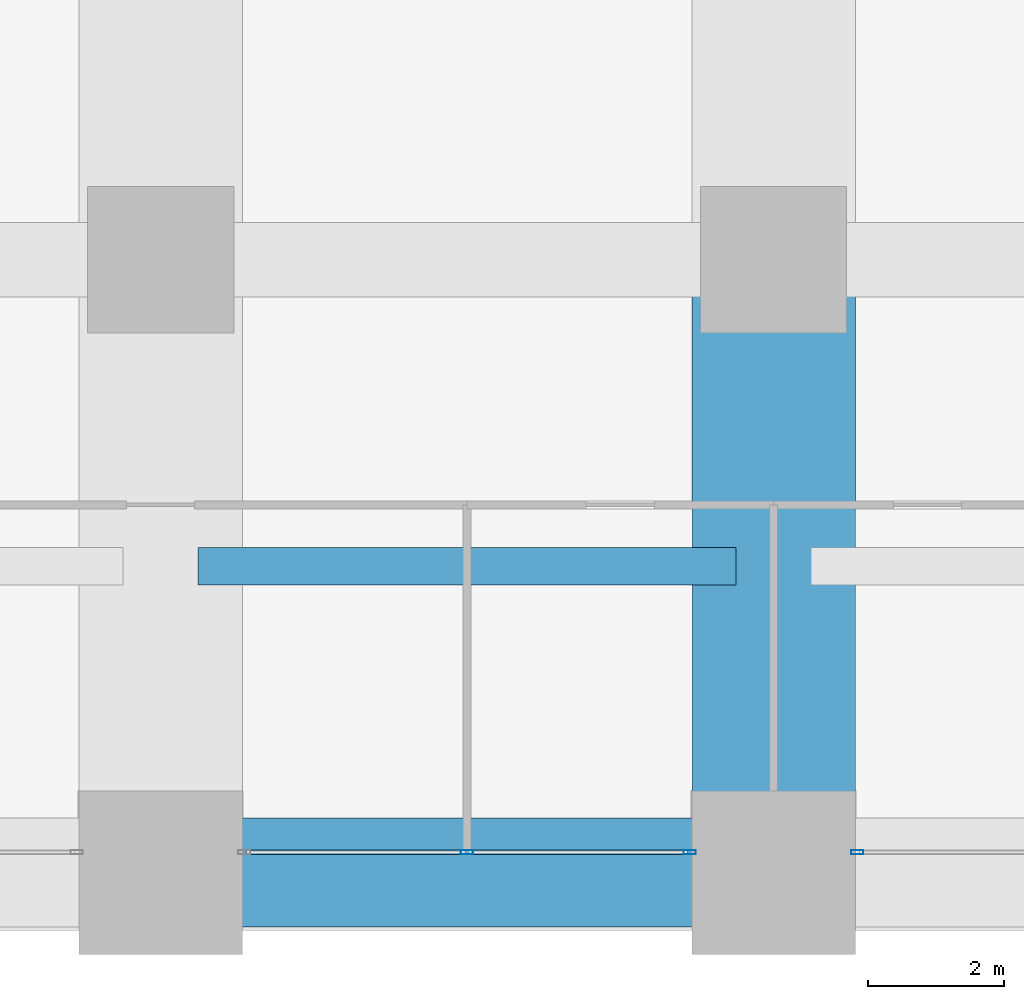
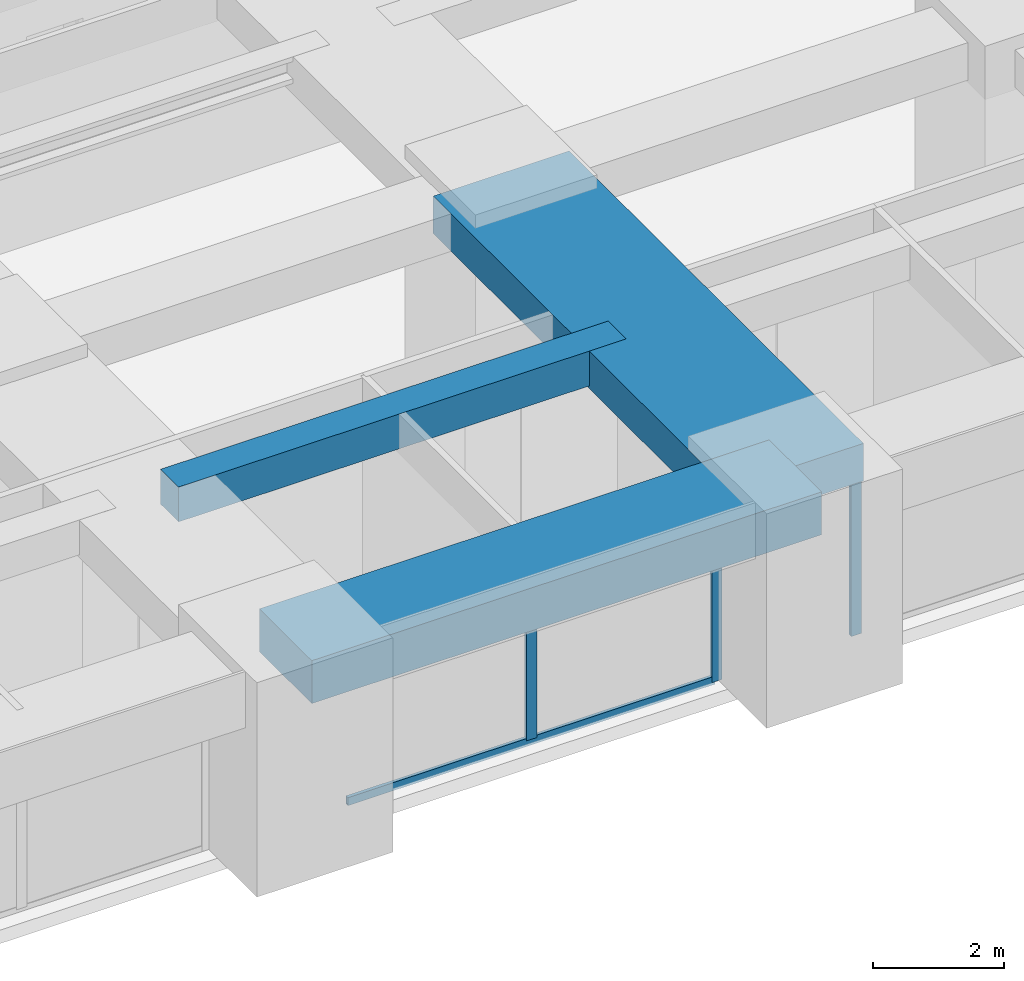
# One storey, part 13 of 45: 4 members, 3 beams, 2 elements without a shape of their own.
"""IFC4 building model written with IfcOpenShell, lengths in metres."""

from ifc_helpers import new_model, si_unit, direction, frame, origin, origin_2d, place, context, subcontext, project, spatial, rectangle, hollow_rectangle, extrude, material, material_profile, profile_set, type_object, element, aggregate, save


model = new_model("IFC4")

# Units and contexts
model_context = context("Model", 3, precision=1e-05, world=origin(), true_north=direction((0.0, 1.0)))
body_context = subcontext(model_context, "Body", "Model", "MODEL_VIEW")
ifc_project = project(units=[si_unit("LENGTHUNIT", "METRE"), si_unit("AREAUNIT", "SQUARE_METRE"), si_unit("VOLUMEUNIT", "CUBIC_METRE"), si_unit("PLANEANGLEUNIT", "RADIAN"), si_unit("MASSUNIT", "GRAM", prefix="KILO")], contexts=[model_context])

# Site, building, storey
site_placement = place(None, origin())
site = spatial("IfcSite", under=ifc_project, at=site_placement, CompositionType="ELEMENT")
building_placement = place(site_placement, origin())
building = spatial("IfcBuilding", under=site, at=building_placement, Name="Zorevar Civic Tower", CompositionType="ELEMENT")
storey_placement = place(building_placement, frame((0.0, 0.0, 71.800048828125)))
storey = spatial("IfcBuildingStorey", under=building, at=storey_placement, Name="L17", CompositionType="ELEMENT", Elevation=71.800048828125)

# Beams
ifc_material_1 = material(Name="Concrete C50/60", Category="concrete")
ifc_material_profile_1 = material_profile(ifc_material_1, rectangle(XDim=2.39990234375, YDim=0.699951171875, at=origin_2d()), Name="RC 2400x700")
ifc_profile_set_1 = profile_set([ifc_material_profile_1], Name="Concrete C50/60")
beam_type_1 = type_object("IfcBeamType", Name="Beam RC 2400x700", PredefinedType="BEAM", material=ifc_profile_set_1)
beam_1_placement = place(storey_placement, frame((45.0, 0.0, 3.39990234375), z_axis=(0.0, 1.0, 0.0), x_axis=(-1.0, 0.0, 0.0)))
element("IfcBeam", 1, at=beam_1_placement, inside=storey, type_object=beam_type_1, Name="Girder L18", PredefinedType="BEAM", context=body_context, shape_type="SweptSolid", body=[
    extrude(rectangle(XDim=2.39990234375, YDim=0.699951171875, at=origin_2d()), origin(), (0.0, 0.0, 1.0), 9.0),
])
ifc_material_2 = material(Name="Concrete C50/60", Category="concrete")
ifc_material_profile_2 = material_profile(ifc_material_2, rectangle(XDim=0.550048828125, YDim=0.64990234375, at=origin_2d()), Name="RC 550x650")
ifc_profile_set_2 = profile_set([ifc_material_profile_2], Name="Concrete C50/60")
beam_type_2 = type_object("IfcBeamType", Name="Beam RC 550x650", PredefinedType="BEAM", material=ifc_profile_set_2)
beam_2_placement = place(storey_placement, frame((36.550048828125, 4.5, 3.425048828125), z_axis=(1.0, 0.0, 0.0), x_axis=(0.0, 1.0, 0.0)))
element("IfcBeam", 2, at=beam_2_placement, inside=storey, type_object=beam_type_2, Name="Secondary beam L18", PredefinedType="BEAM", context=body_context, shape_type="SweptSolid", body=[
    extrude(rectangle(XDim=0.550048828125, YDim=0.64990234375, at=origin_2d()), origin(), (0.0, 0.0, 1.0), 7.89990234375),
])

# Curtain wall, members
ifc_material_3 = material(Name="Dark grey solar-control glass in black aluminium frame", Category="aluminium")
curtain_wall_type = type_object("IfcCurtainWallType", Name="Curtain wall CW2 low zone", PredefinedType="NOTDEFINED", material=ifc_material_3)
curtain_wall_1_placement = place(storey_placement, origin())
curtain_wall_1 = element("IfcCurtainWall", 3, at=curtain_wall_1_placement, inside=storey, type_object=curtain_wall_type, Name="CW2 L17", PredefinedType="NOTDEFINED")
ifc_material_4 = material(Name="Aluminium, black anodised", Category="aluminium")
ifc_material_profile_3 = material_profile(ifc_material_4, hollow_rectangle(XDim=0.06005859375, YDim=0.179931640625, WallThickness=0.00390625, at=origin_2d()), Name="AL 180x60x4")
ifc_profile_set_3 = profile_set([ifc_material_profile_3], Name="Aluminium, black anodised")
member_type_1 = type_object("IfcMemberType", Name="CW2 mullion AL 180x60x4", PredefinedType="MULLION", material=ifc_profile_set_3)
member_1_placement = place(storey_placement, frame((40.5, 0.300048828125, 0.06005859375), z_axis=(0.0, 0.0, 1.0), x_axis=(0.0, 1.0, 0.0)))
member_1 = element("IfcMember", 4, at=member_1_placement, type_object=member_type_1, Name="CW2 mullion 2", PredefinedType="MULLION", context=body_context, shape_type="SweptSolid", body=[
    extrude(hollow_rectangle(XDim=0.06005859375, YDim=0.179931640625, WallThickness=0.00390625, at=origin_2d()), origin(), (0.0, 0.0, 1.0), 2.889892578125),
])
member_2_placement = place(storey_placement, frame((43.77001953125, 0.300048828125, 0.0), z_axis=(0.0, 0.0, 1.0), x_axis=(0.0, 1.0, 0.0)))
member_2 = element("IfcMember", 5, at=member_2_placement, type_object=member_type_1, Name="CW2 mullion 3", PredefinedType="MULLION", context=body_context, shape_type="SweptSolid", body=[
    extrude(hollow_rectangle(XDim=0.06005859375, YDim=0.179931640625, WallThickness=0.00390625, at=origin_2d()), origin(), (0.0, 0.0, 1.0), 2.949951171875),
])

# Curtain wall, member
curtain_wall_2_placement = place(storey_placement, origin())
curtain_wall_2 = element("IfcCurtainWall", 6, at=curtain_wall_2_placement, inside=storey, type_object=curtain_wall_type, Name="CW2 L17", PredefinedType="NOTDEFINED")
member_3_placement = place(storey_placement, frame((46.22998046875, 0.300048828125, 0.0), z_axis=(0.0, 0.0, 1.0), x_axis=(0.0, 1.0, 0.0)))
member_3 = element("IfcMember", 7, at=member_3_placement, type_object=member_type_1, Name="CW2 mullion 1", PredefinedType="MULLION", context=body_context, shape_type="SweptSolid", body=[
    extrude(hollow_rectangle(XDim=0.06005859375, YDim=0.179931640625, WallThickness=0.00390625, at=origin_2d()), origin(), (0.0, 0.0, 1.0), 2.949951171875),
])
aggregate(curtain_wall_2, [member_3])

# Member
ifc_material_5 = material(Name="Aluminium, black anodised", Category="aluminium")
ifc_material_profile_4 = material_profile(ifc_material_5, hollow_rectangle(XDim=0.06005859375, YDim=0.14990234375, WallThickness=0.00390625, at=origin_2d()), Name="AL 150x60x4")
ifc_profile_set_4 = profile_set([ifc_material_profile_4], Name="Aluminium, black anodised")
member_type_2 = type_object("IfcMemberType", Name="CW2 transom AL 150x60x4", PredefinedType="USERDEFINED", material=ifc_profile_set_4)
member_4_placement = place(storey_placement, frame((37.260009765625, 0.300048828125, 0.030029296875), z_axis=(1.0, 0.0, 0.0), x_axis=(0.0, 1.0, 0.0)))
member_4 = element("IfcMember", 8, at=member_4_placement, type_object=member_type_2, Name="CW2 sill transom", ObjectType="TRANSOM", PredefinedType="USERDEFINED", context=body_context, shape_type="SweptSolid", body=[
    extrude(hollow_rectangle(XDim=0.06005859375, YDim=0.14990234375, WallThickness=0.00390625, at=origin_2d()), origin(), (0.0, 0.0, 1.0), 6.47998046875),
])

aggregate(curtain_wall_1, [member_1, member_2, member_4])

# Beam
ifc_material_6 = material(Name="Concrete C50/60", Category="concrete")
ifc_material_profile_5 = material_profile(ifc_material_6, rectangle(XDim=1.60009765625, YDim=0.800048828125, at=origin_2d()), Name="RC 1600x800")
ifc_profile_set_5 = profile_set([ifc_material_profile_5], Name="Concrete C50/60")
beam_type_3 = type_object("IfcBeamType", Name="Edge beam RC 1600x800", PredefinedType="SPANDREL", material=ifc_profile_set_5)
beam_3_placement = place(storey_placement, frame((36.0, 0.0, 3.349853515625), z_axis=(1.0, 0.0, 0.0), x_axis=(0.0, 1.0, 0.0)))
element("IfcBeam", 9, at=beam_3_placement, inside=storey, type_object=beam_type_3, Name="Edge beam L18", PredefinedType="SPANDREL", context=body_context, shape_type="SweptSolid", body=[
    extrude(rectangle(XDim=1.60009765625, YDim=0.800048828125, at=origin_2d()), origin(), (0.0, 0.0, 1.0), 9.0),
])

save(model, "model.ifc")
